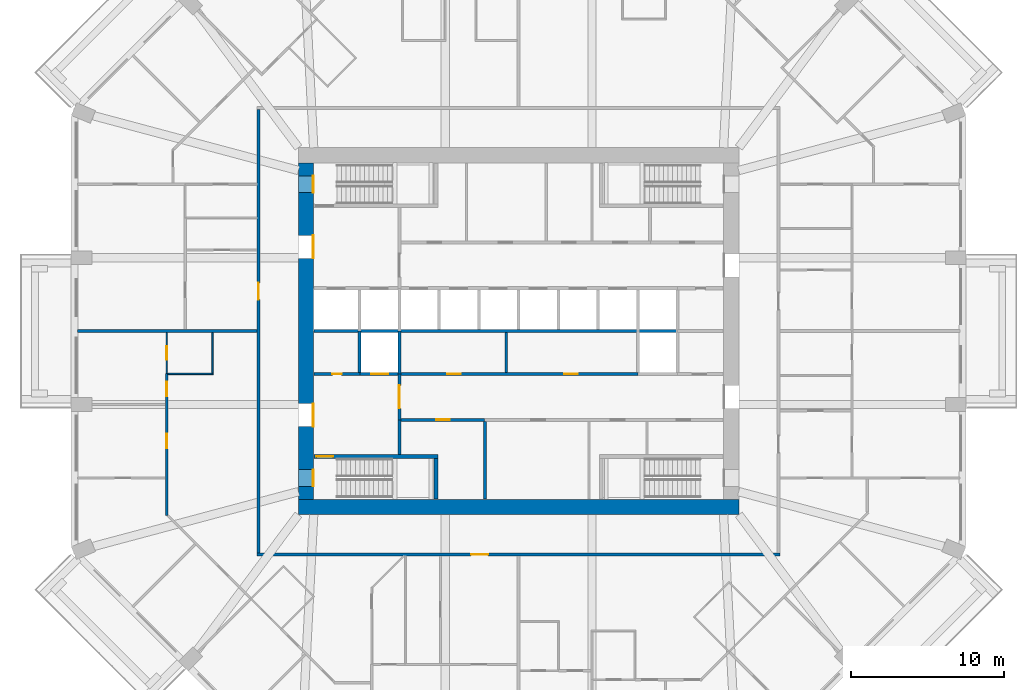
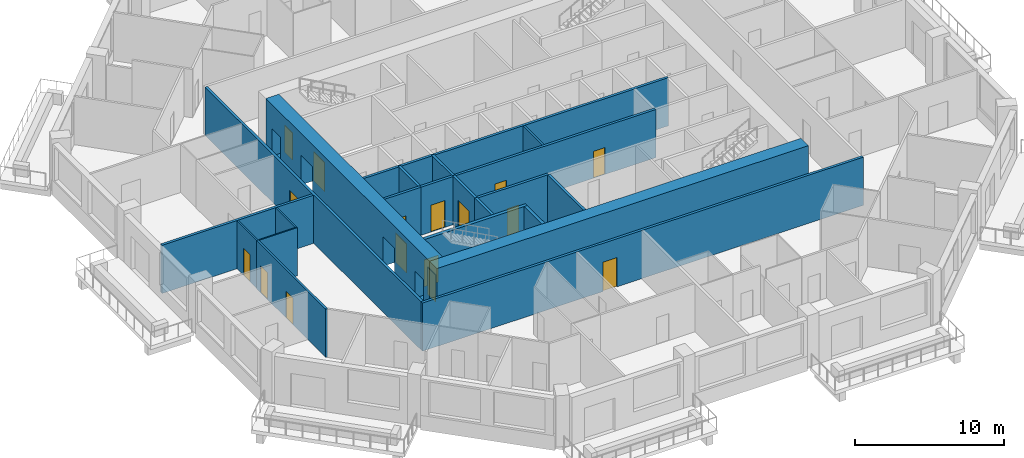
# One storey, part 4 of 13: 22 walls, 16 doors, 16 openings.
"""IFC4 building model written with IfcOpenShell, lengths in metres."""

from ifc_helpers import new_model, si_unit, direction, frame, frame_2d, origin, place, context, subcontext, project, spatial, rectangle, extrude, material, layer, layer_set, type_object, element, fill, save


model = new_model("IFC4")

# Units and contexts
model_context = context("Model", 3, precision=1e-05, world=origin(), true_north=direction((0.0, 1.0)))
body_context = subcontext(model_context, "Body", "Model", "MODEL_VIEW")
ifc_project = project(units=[si_unit("LENGTHUNIT", "METRE"), si_unit("AREAUNIT", "SQUARE_METRE"), si_unit("VOLUMEUNIT", "CUBIC_METRE"), si_unit("PLANEANGLEUNIT", "RADIAN"), si_unit("MASSUNIT", "GRAM", prefix="KILO")], contexts=[model_context])

# Site, building, storey
site_placement = place(None, origin())
site = spatial("IfcSite", under=ifc_project, at=site_placement, CompositionType="ELEMENT")
building_placement = place(site_placement, origin())
building = spatial("IfcBuilding", under=site, at=building_placement, Name="Msitu Wima Residences", CompositionType="ELEMENT")
storey_placement = place(building_placement, frame((0.0, 0.0, 38.10009765625)))
storey = spatial("IfcBuildingStorey", under=building, at=storey_placement, Name="L08", CompositionType="ELEMENT", Elevation=38.10009765625)

# Wall
ifc_material_1 = material(Name="Concrete C80/95", Category="concrete")
ifc_layer_1 = layer(ifc_material_1, 1.0)
ifc_layer_set_1 = layer_set([ifc_layer_1], Name="Concrete C80/95")
wall_type_1 = type_object("IfcWallType", Name="Core wall CW1000 C80/95", PredefinedType="SHEAR", material=ifc_layer_set_1)
wall_1_placement = place(storey_placement, frame((-14.39990234375, -11.5, 0.0), z_axis=(0.0, 0.0, 1.0), x_axis=(1.0, 0.0, 0.0)))
element("IfcWall", 1, at=wall_1_placement, inside=storey, type_object=wall_type_1, Name="Core wall", PredefinedType="SHEAR", context=body_context, shape_type="SweptSolid", body=[
    extrude(rectangle(XDim=28.7998046875, YDim=1.0, at=frame_2d((14.39990234375, 0.0))), origin(), (0.0, 0.0, 1.0), 4.199951171875),
])

# Wall, openings, doors
wall_2_placement = place(storey_placement, frame((-13.89990234375, -11.0, 0.0), z_axis=(0.0, 0.0, 1.0), x_axis=(0.0, 1.0, 0.0)))
wall_2 = element("IfcWall", 2, at=wall_2_placement, inside=storey, type_object=wall_type_1, Name="Core wall", PredefinedType="SHEAR", context=body_context, shape_type="SweptSolid", body=[
    extrude(rectangle(XDim=22.0, YDim=1.0, at=frame_2d((11.0, 0.0))), origin(), (0.0, 0.0, 1.0), 4.199951171875),
])
opening_1_placement = place(wall_2_placement, frame((20.050048828125, 0.0, 0.0)))
opening_1 = element("IfcOpeningElement", 3, at=opening_1_placement, cuts=wall_2, Name="Opening D08-10.035", PredefinedType="OPENING", context=body_context, shape_type="SweptSolid", body=[
    extrude(rectangle(XDim=1.10009765625, YDim=2.199951171875, at=frame_2d((0.550048828125, 1.10009765625))), frame((0.0, 0.510009765625, 0.0), z_axis=(0.0, -1.0, 0.0), x_axis=(1.0, 0.0, 0.0)), (0.0, 0.0, 1.0), 1.02001953125),
])
opening_2_placement = place(wall_2_placement, frame((0.85009765625, 0.0, 0.0)))
opening_2 = element("IfcOpeningElement", 4, at=opening_2_placement, cuts=wall_2, Name="Opening D08-10.037", PredefinedType="OPENING", context=body_context, shape_type="SweptSolid", body=[
    extrude(rectangle(XDim=1.10009765625, YDim=2.199951171875, at=frame_2d((0.550048828125, 1.10009765625))), frame((0.0, 0.510009765625, 0.0), z_axis=(0.0, -1.0, 0.0), x_axis=(1.0, 0.0, 0.0)), (0.0, 0.0, 1.0), 1.02001953125),
])
opening_3_placement = place(wall_2_placement, frame((15.75, 0.0, 0.0)))
opening_3 = element("IfcOpeningElement", 5, at=opening_3_placement, cuts=wall_2, Name="Opening D08-10.016", PredefinedType="OPENING", context=body_context, shape_type="SweptSolid", body=[
    extrude(rectangle(XDim=1.5, YDim=2.39990234375, at=frame_2d((0.75, 1.199951171875))), frame((0.0, 0.510009765625, 0.0), z_axis=(0.0, -1.0, 0.0), x_axis=(1.0, 0.0, 0.0)), (0.0, 0.0, 1.0), 1.02001953125),
])
opening_4_placement = place(wall_2_placement, frame((4.75, 0.0, 0.0)))
opening_4 = element("IfcOpeningElement", 6, at=opening_4_placement, cuts=wall_2, Name="Opening D08-10.018", PredefinedType="OPENING", context=body_context, shape_type="SweptSolid", body=[
    extrude(rectangle(XDim=1.5, YDim=2.39990234375, at=frame_2d((0.75, 1.199951171875))), frame((0.0, 0.510009765625, 0.0), z_axis=(0.0, -1.0, 0.0), x_axis=(1.0, 0.0, 0.0)), (0.0, 0.0, 1.0), 1.02001953125),
])
ifc_material_2 = material(Name="Steel framed glazed door, fire resisting", Category="steel")
door_type_1 = type_object("IfcDoorType", Name="Lobby door D07 1500x2400", OperationType="DOUBLE_DOOR_SINGLE_SWING", PredefinedType="DOOR", material=ifc_material_2)
door_1_placement = place(opening_3_placement, origin())
door_1 = element("IfcDoor", 7, at=door_1_placement, inside=storey, type_object=door_type_1, Name="Lobby door", OperationType="DOUBLE_DOOR_SINGLE_SWING", OverallHeight=2.39990234375, OverallWidth=1.5, PredefinedType="DOOR", context=body_context, shape_type="SweptSolid", body=[
    extrude(rectangle(XDim=1.5, YDim=2.39990234375, at=frame_2d((0.75, 1.199951171875))), frame((0.0, -0.44482421875, 0.0), z_axis=(0.0, -1.0, 0.0), x_axis=(1.0, 0.0, 0.0)), (0.0, 0.0, 1.0), 0.050048828125),
])
fill(opening_3, door_1)
door_2_placement = place(opening_4_placement, origin())
door_2 = element("IfcDoor", 8, at=door_2_placement, inside=storey, type_object=door_type_1, Name="Lobby door", OperationType="DOUBLE_DOOR_SINGLE_SWING", OverallHeight=2.39990234375, OverallWidth=1.5, PredefinedType="DOOR", context=body_context, shape_type="SweptSolid", body=[
    extrude(rectangle(XDim=1.5, YDim=2.39990234375, at=frame_2d((0.75, 1.199951171875))), frame((0.0, -0.44482421875, 0.0), z_axis=(0.0, -1.0, 0.0), x_axis=(1.0, 0.0, 0.0)), (0.0, 0.0, 1.0), 0.050048828125),
])
fill(opening_4, door_2)
ifc_material_3 = material(Name="Steel door, fire resisting, panic bar", Category="steel")
door_type_2 = type_object("IfcDoorType", Name="Stair door D06 1100x2200", OperationType="SINGLE_SWING_LEFT", PredefinedType="DOOR", material=ifc_material_3)
door_3_placement = place(opening_1_placement, origin())
door_3 = element("IfcDoor", 9, at=door_3_placement, inside=storey, type_object=door_type_2, Name="Stair door", OperationType="SINGLE_SWING_RIGHT", OverallHeight=2.199951171875, OverallWidth=1.10009765625, PredefinedType="DOOR", context=body_context, shape_type="SweptSolid", body=[
    extrude(rectangle(XDim=1.10009765625, YDim=2.199951171875, at=frame_2d((0.550048828125, 1.10009765625))), frame((0.0, -0.44482421875, 0.0), z_axis=(0.0, -1.0, 0.0), x_axis=(1.0, 0.0, 0.0)), (0.0, 0.0, 1.0), 0.050048828125),
])
fill(opening_1, door_3)
door_4_placement = place(opening_2_placement, origin())
door_4 = element("IfcDoor", 10, at=door_4_placement, inside=storey, type_object=door_type_2, Name="Stair door", OperationType="SINGLE_SWING_LEFT", OverallHeight=2.199951171875, OverallWidth=1.10009765625, PredefinedType="DOOR", context=body_context, shape_type="SweptSolid", body=[
    extrude(rectangle(XDim=1.10009765625, YDim=2.199951171875, at=frame_2d((0.550048828125, 1.10009765625))), frame((0.0, -0.44482421875, 0.0), z_axis=(0.0, -1.0, 0.0), x_axis=(1.0, 0.0, 0.0)), (0.0, 0.0, 1.0), 0.050048828125),
])
fill(opening_2, door_4)

# Wall, opening, door
ifc_material_4 = material(Name="Plaster")
ifc_layer_2 = layer(ifc_material_4, 0.011962890625, Name="Plaster")
ifc_material_5 = material(Name="Concrete blockwork", Category="masonry")
ifc_layer_3 = layer(ifc_material_5, 0.176025390625, Name="Concrete blockwork")
ifc_layer_4 = layer(ifc_material_4, 0.011962890625, Name="Plaster")
ifc_layer_set_2 = layer_set([ifc_layer_2, ifc_layer_3, ifc_layer_4], Name="Concrete blockwork")
wall_type_2 = type_object("IfcWallType", Name="Corridor wall FW200", PredefinedType="PARTITIONING", material=ifc_layer_set_2)
wall_3_placement = place(storey_placement, frame((-17.0, -14.5, 0.0), z_axis=(0.0, 0.0, 1.0), x_axis=(0.0, 1.0, 0.0)))
wall_3 = element("IfcWall", 11, at=wall_3_placement, inside=storey, type_object=wall_type_2, Name="Corridor wall", PredefinedType="PARTITIONING", context=body_context, shape_type="SweptSolid", body=[
    extrude(rectangle(XDim=29.0, YDim=0.199951171875, at=frame_2d((14.5, 0.0))), origin(), (0.0, 0.0, 1.0), 3.949951171875),
])
opening_5_placement = place(wall_3_placement, frame((16.550048828125, 0.0, 0.0)))
opening_5 = element("IfcOpeningElement", 12, at=opening_5_placement, cuts=wall_3, Name="Opening D08-10.012", PredefinedType="OPENING", context=body_context, shape_type="SweptSolid", body=[
    extrude(rectangle(XDim=1.10009765625, YDim=2.39990234375, at=frame_2d((0.550048828125, 1.199951171875))), frame((0.0, 0.10986328125, 0.0), z_axis=(0.0, -1.0, 0.0), x_axis=(1.0, 0.0, 0.0)), (0.0, 0.0, 1.0), 0.219970703125),
])
ifc_material_6 = material(Name="Timber flush door, fire resisting, self-closing", Category="wood")
door_type_3 = type_object("IfcDoorType", Name="Flat entrance door D01 1100x2400", OperationType="SINGLE_SWING_LEFT", PredefinedType="DOOR", material=ifc_material_6)
door_5_placement = place(opening_5_placement, origin())
door_5 = element("IfcDoor", 13, at=door_5_placement, inside=storey, type_object=door_type_3, Name="Flat entrance door", OperationType="SINGLE_SWING_LEFT", OverallHeight=2.39990234375, OverallWidth=1.10009765625, PredefinedType="DOOR", context=body_context, shape_type="SweptSolid", body=[
    extrude(rectangle(XDim=1.10009765625, YDim=2.39990234375, at=frame_2d((0.550048828125, 1.199951171875))), frame((0.0, 0.02490234375, 0.0), z_axis=(0.0, -1.0, 0.0), x_axis=(1.0, 0.0, 0.0)), (0.0, 0.0, 1.0), 0.050048828125),
])
fill(opening_5, door_5)

wall_4_placement = place(storey_placement, frame((-17.10009765625, -14.60009765625, 0.0), z_axis=(0.0, 0.0, 1.0), x_axis=(1.0, 0.0, 0.0)))
wall_4 = element("IfcWall", 14, at=wall_4_placement, inside=storey, type_object=wall_type_2, Name="Corridor wall", PredefinedType="PARTITIONING", context=body_context, shape_type="SweptSolid", body=[
    extrude(rectangle(XDim=34.2001953125, YDim=0.199951171875, at=frame_2d((17.10009765625, 0.0))), origin(), (0.0, 0.0, 1.0), 3.949951171875),
])
opening_6_placement = place(wall_4_placement, frame((14.0, 0.0, 0.0)))
opening_6 = element("IfcOpeningElement", 15, at=opening_6_placement, cuts=wall_4, Name="Opening D08-10.013", PredefinedType="OPENING", context=body_context, shape_type="SweptSolid", body=[
    extrude(rectangle(XDim=1.10009765625, YDim=2.39990234375, at=frame_2d((0.550048828125, 1.199951171875))), frame((0.0, 0.10986328125, 0.0), z_axis=(0.0, -1.0, 0.0), x_axis=(1.0, 0.0, 0.0)), (0.0, 0.0, 1.0), 0.219970703125),
])
door_6_placement = place(opening_6_placement, origin())
door_6 = element("IfcDoor", 16, at=door_6_placement, inside=storey, type_object=door_type_3, Name="Flat entrance door", OperationType="SINGLE_SWING_LEFT", OverallHeight=2.39990234375, OverallWidth=1.10009765625, PredefinedType="DOOR", context=body_context, shape_type="SweptSolid", body=[
    extrude(rectangle(XDim=1.10009765625, YDim=2.39990234375, at=frame_2d((0.550048828125, 1.199951171875))), frame((0.0, 0.02490234375, 0.0), z_axis=(0.0, -1.0, 0.0), x_axis=(1.0, 0.0, 0.0)), (0.0, 0.0, 1.0), 0.050048828125),
])
fill(opening_6, door_6)

# Wall, openings, doors
wall_5_placement = place(storey_placement, frame((-7.820068359375, -2.800048828125, 0.0), z_axis=(0.0, 0.0, 1.0), x_axis=(1.0, 0.0, 0.0)))
wall_5 = element("IfcWall", 17, at=wall_5_placement, inside=storey, type_object=wall_type_2, Name="Corridor wall", PredefinedType="PARTITIONING", context=body_context, shape_type="SweptSolid", body=[
    extrude(rectangle(XDim=15.64013671875, YDim=0.199951171875, at=frame_2d((7.820068359375, 0.0))), origin(), (0.0, 0.0, 1.0), 3.949951171875),
])
opening_7_placement = place(wall_5_placement, frame((3.14990234375, 0.0, 0.0)))
opening_7 = element("IfcOpeningElement", 18, at=opening_7_placement, cuts=wall_5, Name="Opening D08-10.033", PredefinedType="OPENING", context=body_context, shape_type="SweptSolid", body=[
    extrude(rectangle(XDim=0.89990234375, YDim=2.199951171875, at=frame_2d((0.449951171875, 1.10009765625))), frame((0.0, 0.10986328125, 0.0), z_axis=(0.0, -1.0, 0.0), x_axis=(1.0, 0.0, 0.0)), (0.0, 0.0, 1.0), 0.219970703125),
])
opening_8_placement = place(wall_5_placement, frame((10.800048828125, 0.0, 0.0)))
opening_8 = element("IfcOpeningElement", 19, at=opening_8_placement, cuts=wall_5, Name="Opening D08-10.034", PredefinedType="OPENING", context=body_context, shape_type="SweptSolid", body=[
    extrude(rectangle(XDim=0.89990234375, YDim=2.199951171875, at=frame_2d((0.449951171875, 1.10009765625))), frame((0.0, 0.10986328125, 0.0), z_axis=(0.0, -1.0, 0.0), x_axis=(1.0, 0.0, 0.0)), (0.0, 0.0, 1.0), 0.219970703125),
])
ifc_material_7 = material(Name="Timber flush door", Category="wood")
door_type_4 = type_object("IfcDoorType", Name="Service door D05 900x2200", OperationType="SINGLE_SWING_LEFT", PredefinedType="DOOR", material=ifc_material_7)
door_7_placement = place(opening_7_placement, origin())
door_7 = element("IfcDoor", 20, at=door_7_placement, inside=storey, type_object=door_type_4, Name="Service door", OperationType="SINGLE_SWING_RIGHT", OverallHeight=2.199951171875, OverallWidth=0.89990234375, PredefinedType="DOOR", context=body_context, shape_type="SweptSolid", body=[
    extrude(rectangle(XDim=0.89990234375, YDim=2.199951171875, at=frame_2d((0.449951171875, 1.10009765625))), frame((0.0, 0.02490234375, 0.0), z_axis=(0.0, -1.0, 0.0), x_axis=(1.0, 0.0, 0.0)), (0.0, 0.0, 1.0), 0.050048828125),
])
fill(opening_7, door_7)
door_8_placement = place(opening_8_placement, origin())
door_8 = element("IfcDoor", 21, at=door_8_placement, inside=storey, type_object=door_type_4, Name="Service door", OperationType="SINGLE_SWING_RIGHT", OverallHeight=2.199951171875, OverallWidth=0.89990234375, PredefinedType="DOOR", context=body_context, shape_type="SweptSolid", body=[
    extrude(rectangle(XDim=0.89990234375, YDim=2.199951171875, at=frame_2d((0.449951171875, 1.10009765625))), frame((0.0, 0.02490234375, 0.0), z_axis=(0.0, -1.0, 0.0), x_axis=(1.0, 0.0, 0.0)), (0.0, 0.0, 1.0), 0.050048828125),
])
fill(opening_8, door_8)

# Wall, opening, door
wall_6_placement = place(storey_placement, frame((-7.800048828125, -5.800048828125, 0.0), z_axis=(0.0, 0.0, 1.0), x_axis=(0.0, 1.0, 0.0)))
wall_6 = element("IfcWall", 22, at=wall_6_placement, inside=storey, type_object=wall_type_2, Name="Corridor wall", PredefinedType="PARTITIONING", context=body_context, shape_type="SweptSolid", body=[
    extrude(rectangle(XDim=3.0, YDim=0.199951171875, at=frame_2d((1.5, 0.0))), origin(), (0.0, 0.0, 1.0), 3.949951171875),
])
opening_9_placement = place(wall_6_placement, frame((0.75, 0.0, 0.0)))
opening_9 = element("IfcOpeningElement", 23, at=opening_9_placement, cuts=wall_6, Name="Opening D08-10.019", PredefinedType="OPENING", context=body_context, shape_type="SweptSolid", body=[
    extrude(rectangle(XDim=1.5, YDim=2.39990234375, at=frame_2d((0.75, 1.199951171875))), frame((0.0, 0.10986328125, 0.0), z_axis=(0.0, -1.0, 0.0), x_axis=(1.0, 0.0, 0.0)), (0.0, 0.0, 1.0), 0.219970703125),
])
door_9_placement = place(opening_9_placement, origin())
door_9 = element("IfcDoor", 24, at=door_9_placement, inside=storey, type_object=door_type_1, Name="Lobby door", OperationType="DOUBLE_DOOR_SINGLE_SWING", OverallHeight=2.39990234375, OverallWidth=1.5, PredefinedType="DOOR", context=body_context, shape_type="SweptSolid", body=[
    extrude(rectangle(XDim=1.5, YDim=2.39990234375, at=frame_2d((0.75, 1.199951171875))), frame((0.0, 0.02490234375, 0.0), z_axis=(0.0, -1.0, 0.0), x_axis=(1.0, 0.0, 0.0)), (0.0, 0.0, 1.0), 0.050048828125),
])
fill(opening_9, door_9)

# Wall, openings, doors
ifc_layer_5 = layer(ifc_material_4, 0.011962890625, Name="Plaster")
ifc_layer_6 = layer(ifc_material_5, 0.1259765625, Name="Concrete blockwork")
ifc_layer_7 = layer(ifc_material_4, 0.011962890625, Name="Plaster")
ifc_layer_set_3 = layer_set([ifc_layer_5, ifc_layer_6, ifc_layer_7], Name="Concrete blockwork")
wall_type_3 = type_object("IfcWallType", Name="Partition PW150", PredefinedType="PARTITIONING", material=ifc_layer_set_3)
wall_7_placement = place(storey_placement, frame((-23.0, -12.072509765625, 0.0), z_axis=(0.0, 0.0, 1.0), x_axis=(0.0, 1.0, 0.0)))
wall_7 = element("IfcWall", 25, at=wall_7_placement, inside=storey, type_object=wall_type_3, Name="Partition", PredefinedType="PARTITIONING", context=body_context, shape_type="SweptSolid", body=[
    extrude(rectangle(XDim=9.29248046875, YDim=0.14990234375, at=frame_2d((4.646240234375, 0.0))), origin(), (0.0, 0.0, 1.0), 3.949951171875),
])
opening_10_placement = place(wall_7_placement, frame((4.39990234375, 0.0, 0.0)))
opening_10 = element("IfcOpeningElement", 26, at=opening_10_placement, cuts=wall_7, Name="Opening D08-10.062", PredefinedType="OPENING", context=body_context, shape_type="SweptSolid", body=[
    extrude(rectangle(XDim=0.949951171875, YDim=2.199951171875, at=frame_2d((0.47509765625, 1.10009765625))), frame((0.0, 0.0849609375, 0.0), z_axis=(0.0, -1.0, 0.0), x_axis=(1.0, 0.0, 0.0)), (0.0, 0.0, 1.0), 0.169921875),
])
opening_11_placement = place(wall_7_placement, frame((7.800048828125, 0.0, 0.0)))
opening_11 = element("IfcOpeningElement", 27, at=opening_11_placement, cuts=wall_7, Name="Opening D08-10.067", PredefinedType="OPENING", context=body_context, shape_type="SweptSolid", body=[
    extrude(rectangle(XDim=0.949951171875, YDim=2.199951171875, at=frame_2d((0.47509765625, 1.10009765625))), frame((0.0, 0.0849609375, 0.0), z_axis=(0.0, -1.0, 0.0), x_axis=(1.0, 0.0, 0.0)), (0.0, 0.0, 1.0), 0.169921875),
])
door_type_5 = type_object("IfcDoorType", Name="Room door D12 950x2200", OperationType="SINGLE_SWING_LEFT", PredefinedType="DOOR", material=ifc_material_7)
door_10_placement = place(opening_10_placement, origin())
door_10 = element("IfcDoor", 28, at=door_10_placement, inside=storey, type_object=door_type_5, Name="Room door", OperationType="SINGLE_SWING_RIGHT", OverallHeight=2.199951171875, OverallWidth=0.949951171875, PredefinedType="DOOR", context=body_context, shape_type="SweptSolid", body=[
    extrude(rectangle(XDim=0.949951171875, YDim=2.199951171875, at=frame_2d((0.47509765625, 1.10009765625))), frame((0.0, 0.02490234375, 0.0), z_axis=(0.0, -1.0, 0.0), x_axis=(1.0, 0.0, 0.0)), (0.0, 0.0, 1.0), 0.050048828125),
])
fill(opening_10, door_10)
door_11_placement = place(opening_11_placement, origin())
door_11 = element("IfcDoor", 29, at=door_11_placement, inside=storey, type_object=door_type_5, Name="Room door", OperationType="SINGLE_SWING_LEFT", OverallHeight=2.199951171875, OverallWidth=0.949951171875, PredefinedType="DOOR", context=body_context, shape_type="SweptSolid", body=[
    extrude(rectangle(XDim=0.949951171875, YDim=2.199951171875, at=frame_2d((0.47509765625, 1.10009765625))), frame((0.0, 0.02490234375, 0.0), z_axis=(0.0, -1.0, 0.0), x_axis=(1.0, 0.0, 0.0)), (0.0, 0.0, 1.0), 0.050048828125),
])
fill(opening_11, door_11)

# Walls
wall_8_placement = place(storey_placement, frame((-0.800048828125, -2.699951171875, 0.0), z_axis=(0.0, 0.0, 1.0), x_axis=(0.0, 1.0, 0.0)))
element("IfcWall", 30, at=wall_8_placement, inside=storey, type_object=wall_type_3, Name="Partition", PredefinedType="PARTITIONING", context=body_context, shape_type="SweptSolid", body=[
    extrude(rectangle(XDim=2.599853515625, YDim=0.14990234375, at=frame_2d((1.2998046875, 0.0))), origin(), (0.0, 0.0, 1.0), 3.949951171875),
])
ifc_layer_8 = layer(ifc_material_4, 0.011962890625, Name="Plaster")
ifc_material_8 = material(Name="Dense concrete blockwork", Category="masonry")
ifc_layer_9 = layer(ifc_material_8, 0.176025390625, Name="Dense concrete blockwork")
ifc_layer_10 = layer(ifc_material_4, 0.011962890625, Name="Plaster")
ifc_layer_set_4 = layer_set([ifc_layer_8, ifc_layer_9, ifc_layer_10], Name="Dense concrete blockwork")
wall_type_4 = type_object("IfcWallType", Name="Party wall PW200", PredefinedType="PARTITIONING", material=ifc_layer_set_4)
wall_9_placement = place(storey_placement, frame((-28.85498046875, 0.0, 0.0), z_axis=(0.0, 0.0, 1.0), x_axis=(1.0, 0.0, 0.0)))
element("IfcWall", 31, at=wall_9_placement, inside=storey, type_object=wall_type_4, Name="Party wall", PredefinedType="PARTITIONING", context=body_context, shape_type="SweptSolid", body=[
    extrude(rectangle(XDim=11.7548828125, YDim=0.199951171875, at=frame_2d((5.87744140625, 0.0))), origin(), (0.0, 0.0, 1.0), 3.949951171875),
])

# Wall, opening, door
ifc_layer_11 = layer(ifc_material_4, 0.011962890625, Name="Plaster")
ifc_material_9 = material(Name="Reinforced concrete blockwork", Category="masonry")
ifc_layer_12 = layer(ifc_material_9, 0.176025390625, Name="Reinforced concrete blockwork")
ifc_layer_13 = layer(ifc_material_4, 0.011962890625, Name="Plaster")
ifc_layer_set_5 = layer_set([ifc_layer_11, ifc_layer_12, ifc_layer_13], Name="Reinforced concrete blockwork")
wall_type_5 = type_object("IfcWallType", Name="Plant and riser wall PL200", PredefinedType="PARTITIONING", material=ifc_layer_set_5)
wall_10_placement = place(storey_placement, frame((-13.3701171875, -2.800048828125, 0.0), z_axis=(0.0, 0.0, 1.0), x_axis=(1.0, 0.0, 0.0)))
wall_10 = element("IfcWall", 32, at=wall_10_placement, inside=storey, type_object=wall_type_5, Name="Plant and riser wall", PredefinedType="PARTITIONING", context=body_context, shape_type="SweptSolid", body=[
    extrude(rectangle(XDim=2.990234375, YDim=0.199951171875, at=frame_2d((1.4951171875, 0.0))), origin(), (0.0, 0.0, 1.0), 3.949951171875),
])
opening_12_placement = place(wall_10_placement, frame((1.199951171875, 0.0, 0.0)))
opening_12 = element("IfcOpeningElement", 33, at=opening_12_placement, cuts=wall_10, Name="Opening D08-10.032", PredefinedType="OPENING", context=body_context, shape_type="SweptSolid", body=[
    extrude(rectangle(XDim=0.60009765625, YDim=2.0, at=frame_2d((0.300048828125, 1.0))), frame((0.0, 0.10986328125, 0.0), z_axis=(0.0, -1.0, 0.0), x_axis=(1.0, 0.0, 0.0)), (0.0, 0.0, 1.0), 0.219970703125),
])
ifc_material_10 = material(Name="Steel access door, fire resisting", Category="steel")
door_type_6 = type_object("IfcDoorType", Name="Riser access door D08 600x2000", OperationType="SINGLE_SWING_LEFT", PredefinedType="DOOR", material=ifc_material_10)
door_12_placement = place(opening_12_placement, origin())
door_12 = element("IfcDoor", 34, at=door_12_placement, inside=storey, type_object=door_type_6, Name="Riser access door", OperationType="SINGLE_SWING_RIGHT", OverallHeight=2.0, OverallWidth=0.60009765625, PredefinedType="DOOR", context=body_context, shape_type="SweptSolid", body=[
    extrude(rectangle(XDim=0.60009765625, YDim=2.0, at=frame_2d((0.300048828125, 1.0))), frame((0.0, 0.02490234375, 0.0), z_axis=(0.0, -1.0, 0.0), x_axis=(1.0, 0.0, 0.0)), (0.0, 0.0, 1.0), 0.050048828125),
])
fill(opening_12, door_12)

# Wall
wall_11_placement = place(storey_placement, frame((-7.800048828125, -8.074951171875, 0.0), z_axis=(0.0, 0.0, 1.0), x_axis=(0.0, 1.0, 0.0)))
element("IfcWall", 35, at=wall_11_placement, inside=storey, type_object=wall_type_5, Name="Plant and riser wall", PredefinedType="PARTITIONING", context=body_context, shape_type="SweptSolid", body=[
    extrude(rectangle(XDim=2.27490234375, YDim=0.199951171875, at=frame_2d((1.137451171875, 0.0))), origin(), (0.0, 0.0, 1.0), 3.949951171875),
])

# Wall, opening, door
wall_12_placement = place(storey_placement, frame((-7.699951171875, -5.800048828125, 0.0), z_axis=(0.0, 0.0, 1.0), x_axis=(1.0, 0.0, 0.0)))
wall_12 = element("IfcWall", 36, at=wall_12_placement, inside=storey, type_object=wall_type_5, Name="Plant and riser wall", PredefinedType="PARTITIONING", context=body_context, shape_type="SweptSolid", body=[
    extrude(rectangle(XDim=5.47998046875, YDim=0.199951171875, at=frame_2d((2.739990234375, 0.0))), origin(), (0.0, 0.0, 1.0), 3.949951171875),
])
opening_13_placement = place(wall_12_placement, frame((2.300048828125, 0.0, 0.0)))
opening_13 = element("IfcOpeningElement", 37, at=opening_13_placement, cuts=wall_12, Name="Opening D08-10.025", PredefinedType="OPENING", context=body_context, shape_type="SweptSolid", body=[
    extrude(rectangle(XDim=0.89990234375, YDim=2.199951171875, at=frame_2d((0.449951171875, 1.10009765625))), frame((0.0, 0.10986328125, 0.0), z_axis=(0.0, -1.0, 0.0), x_axis=(1.0, 0.0, 0.0)), (0.0, 0.0, 1.0), 0.219970703125),
])
door_13_placement = place(opening_13_placement, origin())
door_13 = element("IfcDoor", 38, at=door_13_placement, inside=storey, type_object=door_type_4, Name="Service door", OperationType="SINGLE_SWING_LEFT", OverallHeight=2.199951171875, OverallWidth=0.89990234375, PredefinedType="DOOR", context=body_context, shape_type="SweptSolid", body=[
    extrude(rectangle(XDim=0.89990234375, YDim=2.199951171875, at=frame_2d((0.449951171875, 1.10009765625))), frame((0.0, 0.02490234375, 0.0), z_axis=(0.0, -1.0, 0.0), x_axis=(1.0, 0.0, 0.0)), (0.0, 0.0, 1.0), 0.050048828125),
])
fill(opening_13, door_13)

# Walls
wall_13_placement = place(storey_placement, frame((-2.199951171875, -10.969970703125, 0.0), z_axis=(0.0, 0.0, 1.0), x_axis=(0.0, 1.0, 0.0)))
element("IfcWall", 39, at=wall_13_placement, inside=storey, type_object=wall_type_5, Name="Plant and riser wall", PredefinedType="PARTITIONING", context=body_context, shape_type="SweptSolid", body=[
    extrude(rectangle(XDim=5.070068359375, YDim=0.199951171875, at=frame_2d((2.53515625, 0.0))), origin(), (0.0, 0.0, 1.0), 3.949951171875),
])
ifc_material_11 = material(Name="Fire-rated board")
ifc_layer_14 = layer(ifc_material_11, 0.02490234375, Name="Fire-rated board")
ifc_material_12 = material(Name="Light-gauge stud framing with mineral wool")
ifc_layer_15 = layer(ifc_material_12, 0.14990234375, Name="Light-gauge stud framing with mineral wool")
ifc_layer_16 = layer(ifc_material_11, 0.02490234375, Name="Fire-rated board")
ifc_layer_set_6 = layer_set([ifc_layer_14, ifc_layer_15, ifc_layer_16], Name="Light-gauge stud framing with mineral wool")
wall_type_6 = type_object("IfcWallType", Name="Shaft wall SH200", PredefinedType="PARTITIONING", material=ifc_layer_set_6)
wall_14_placement = place(storey_placement, frame((-13.3701171875, 0.0, 0.0), z_axis=(0.0, 0.0, 1.0), x_axis=(1.0, 0.0, 0.0)))
element("IfcWall", 40, at=wall_14_placement, inside=storey, type_object=wall_type_6, Name="Shaft wall", PredefinedType="PARTITIONING", context=body_context, shape_type="SweptSolid", body=[
    extrude(rectangle(XDim=23.77001953125, YDim=0.199951171875, at=frame_2d((11.885009765625, 0.0))), origin(), (0.0, 0.0, 1.0), 3.949951171875),
])
wall_15_placement = place(storey_placement, frame((-10.39990234375, -2.699951171875, 0.0), z_axis=(0.0, 0.0, 1.0), x_axis=(0.0, 1.0, 0.0)))
element("IfcWall", 41, at=wall_15_placement, inside=storey, type_object=wall_type_6, Name="Shaft wall", PredefinedType="PARTITIONING", context=body_context, shape_type="SweptSolid", body=[
    extrude(rectangle(XDim=2.699951171875, YDim=0.199951171875, at=frame_2d((1.35009765625, 0.0))), origin(), (0.0, 0.0, 1.0), 3.949951171875),
])

# Wall, opening, door
wall_16_placement = place(storey_placement, frame((-10.3798828125, -2.800048828125, 0.0), z_axis=(0.0, 0.0, 1.0), x_axis=(1.0, 0.0, 0.0)))
wall_16 = element("IfcWall", 42, at=wall_16_placement, inside=storey, type_object=wall_type_6, Name="Shaft wall", PredefinedType="PARTITIONING", context=body_context, shape_type="SweptSolid", body=[
    extrude(rectangle(XDim=2.559814453125, YDim=0.199951171875, at=frame_2d((1.27978515625, 0.0))), origin(), (0.0, 0.0, 1.0), 3.949951171875),
])
opening_14_placement = place(wall_16_placement, frame((0.75, 0.0, 0.0)))
opening_14 = element("IfcOpeningElement", 43, at=opening_14_placement, cuts=wall_16, Name="Opening LD", PredefinedType="OPENING", context=body_context, shape_type="SweptSolid", body=[
    extrude(rectangle(XDim=1.10009765625, YDim=2.199951171875, at=frame_2d((0.550048828125, 1.10009765625))), frame((0.0, 0.10986328125, 0.0), z_axis=(0.0, -1.0, 0.0), x_axis=(1.0, 0.0, 0.0)), (0.0, 0.0, 1.0), 0.219970703125),
])
ifc_material_13 = material(Name="Stainless steel centre-opening landing door, rated", Category="steel")
door_type_7 = type_object("IfcDoorType", Name="Lift landing door LD 1100x2200", OperationType="DOUBLE_DOOR_SLIDING", PredefinedType="DOOR", material=ifc_material_13)
door_14_placement = place(opening_14_placement, origin())
door_14 = element("IfcDoor", 44, at=door_14_placement, inside=storey, type_object=door_type_7, Name="Lift landing door LD3", OperationType="DOUBLE_DOOR_SLIDING", OverallHeight=2.199951171875, OverallWidth=1.10009765625, PredefinedType="DOOR", context=body_context, shape_type="SweptSolid", body=[
    extrude(rectangle(XDim=1.10009765625, YDim=2.199951171875, at=frame_2d((0.550048828125, 1.10009765625))), frame((0.0, 0.02490234375, 0.0), z_axis=(0.0, -1.0, 0.0), x_axis=(1.0, 0.0, 0.0)), (0.0, 0.0, 1.0), 0.050048828125),
])
fill(opening_14, door_14)

# Wall
wall_17_placement = place(storey_placement, frame((-7.800048828125, -2.800048828125, 0.0), z_axis=(0.0, 0.0, 1.0), x_axis=(0.0, 1.0, 0.0)))
element("IfcWall", 45, at=wall_17_placement, inside=storey, type_object=wall_type_6, Name="Shaft wall", PredefinedType="PARTITIONING", context=body_context, shape_type="SweptSolid", body=[
    extrude(rectangle(XDim=2.800048828125, YDim=0.199951171875, at=frame_2d((1.39990234375, 0.0))), origin(), (0.0, 0.0, 1.0), 3.949951171875),
])

# Wall, opening, door
ifc_material_14 = material(Name="Concrete C50/60", Category="concrete")
ifc_layer_17 = layer(ifc_material_14, 0.25)
ifc_layer_set_7 = layer_set([ifc_layer_17], Name="Concrete C50/60")
wall_type_7 = type_object("IfcWallType", Name="Stair enclosure wall SW250", PredefinedType="SHEAR", material=ifc_layer_set_7)
wall_18_placement = place(storey_placement, frame((-13.3701171875, -8.199951171875, 0.0), z_axis=(0.0, 0.0, 1.0), x_axis=(1.0, 0.0, 0.0)))
wall_18 = element("IfcWall", 46, at=wall_18_placement, inside=storey, type_object=wall_type_7, Name="Stair enclosure wall", PredefinedType="SHEAR", context=body_context, shape_type="SweptSolid", body=[
    extrude(rectangle(XDim=8.09521484375, YDim=0.25, at=frame_2d((4.047607421875, 0.0))), origin(), (0.0, 0.0, 1.0), 3.949951171875),
])
opening_15_placement = place(wall_18_placement, frame((0.14990234375, 0.0, 0.0)))
opening_15 = element("IfcOpeningElement", 47, at=opening_15_placement, cuts=wall_18, Name="Opening D08-10.038", PredefinedType="OPENING", context=body_context, shape_type="SweptSolid", body=[
    extrude(rectangle(XDim=1.10009765625, YDim=2.199951171875, at=frame_2d((0.550048828125, 1.10009765625))), frame((0.0, 0.135009765625, 0.0), z_axis=(0.0, -1.0, 0.0), x_axis=(1.0, 0.0, 0.0)), (0.0, 0.0, 1.0), 0.27001953125),
])
door_15_placement = place(opening_15_placement, origin())
door_15 = element("IfcDoor", 48, at=door_15_placement, inside=storey, type_object=door_type_2, Name="Stair door", OperationType="SINGLE_SWING_RIGHT", OverallHeight=2.199951171875, OverallWidth=1.10009765625, PredefinedType="DOOR", context=body_context, shape_type="SweptSolid", body=[
    extrude(rectangle(XDim=1.10009765625, YDim=2.199951171875, at=frame_2d((0.550048828125, 1.10009765625))), frame((0.0, 0.02490234375, 0.0), z_axis=(0.0, -1.0, 0.0), x_axis=(1.0, 0.0, 0.0)), (0.0, 0.0, 1.0), 0.050048828125),
])
fill(opening_15, door_15)

# Wall
wall_19_placement = place(storey_placement, frame((-5.39990234375, -10.969970703125, 0.0), z_axis=(0.0, 0.0, 1.0), x_axis=(0.0, 1.0, 0.0)))
element("IfcWall", 49, at=wall_19_placement, inside=storey, type_object=wall_type_7, Name="Stair enclosure wall", PredefinedType="SHEAR", context=body_context, shape_type="SweptSolid", body=[
    extrude(rectangle(XDim=2.64501953125, YDim=0.25, at=frame_2d((1.322509765625, 0.0))), origin(), (0.0, 0.0, 1.0), 3.949951171875),
])

# Wall, opening, door
ifc_material_15 = material(Name="Ceramic tiles")
ifc_layer_18 = layer(ifc_material_15, 0.008056640625, Name="Ceramic tiles")
ifc_material_16 = material(Name="Moisture-resistant board")
ifc_layer_19 = layer(ifc_material_16, 0.012451171875, Name="Moisture-resistant board")
ifc_layer_20 = layer(ifc_material_12, 0.06689453125, Name="Light-gauge stud framing with mineral wool")
ifc_layer_21 = layer(ifc_material_16, 0.012451171875, Name="Moisture-resistant board")
ifc_layer_set_8 = layer_set([ifc_layer_18, ifc_layer_19, ifc_layer_20, ifc_layer_21], Name="Light-gauge stud framing with mineral wool")
wall_type_8 = type_object("IfcWallType", Name="Wet wall PW100", PredefinedType="PARTITIONING", material=ifc_layer_set_8)
wall_20_placement = place(storey_placement, frame((-23.0, -2.780029296875, 0.0), z_axis=(0.0, 0.0, 1.0), x_axis=(0.0, 1.0, 0.0)))
wall_20 = element("IfcWall", 50, at=wall_20_placement, inside=storey, type_object=wall_type_8, Name="Wet wall", PredefinedType="PARTITIONING", context=body_context, shape_type="SweptSolid", body=[
    extrude(rectangle(XDim=2.679931640625, YDim=0.10009765625, at=frame_2d((1.33984375, 0.0))), origin(), (0.0, 0.0, 1.0), 3.949951171875),
])
opening_16_placement = place(wall_20_placement, frame((0.89990234375, 0.0, 0.0)))
opening_16 = element("IfcOpeningElement", 51, at=opening_16_placement, cuts=wall_20, Name="Opening D08-10.068", PredefinedType="OPENING", context=body_context, shape_type="SweptSolid", body=[
    extrude(rectangle(XDim=0.89990234375, YDim=2.199951171875, at=frame_2d((0.449951171875, 1.10009765625))), frame((0.0, 0.06005859375, 0.0), z_axis=(0.0, -1.0, 0.0), x_axis=(1.0, 0.0, 0.0)), (0.0, 0.0, 1.0), 0.1201171875),
])
ifc_material_17 = material(Name="Timber flush door, moisture resistant", Category="wood")
door_type_8 = type_object("IfcDoorType", Name="Bathroom door D03 900x2200", OperationType="SINGLE_SWING_LEFT", PredefinedType="DOOR", material=ifc_material_17)
door_16_placement = place(opening_16_placement, origin())
door_16 = element("IfcDoor", 52, at=door_16_placement, inside=storey, type_object=door_type_8, Name="Bathroom door", OperationType="SINGLE_SWING_RIGHT", OverallHeight=2.199951171875, OverallWidth=0.89990234375, PredefinedType="DOOR", context=body_context, shape_type="SweptSolid", body=[
    extrude(rectangle(XDim=0.89990234375, YDim=2.199951171875, at=frame_2d((0.449951171875, 1.10009765625))), frame((0.0, 0.02490234375, 0.0), z_axis=(0.0, -1.0, 0.0), x_axis=(1.0, 0.0, 0.0)), (0.0, 0.0, 1.0), 0.050048828125),
])
fill(opening_16, door_16)

# Walls
wall_21_placement = place(storey_placement, frame((-22.925048828125, -2.800048828125, 0.0), z_axis=(0.0, 0.0, 1.0), x_axis=(1.0, 0.0, 0.0)))
element("IfcWall", 53, at=wall_21_placement, inside=storey, type_object=wall_type_8, Name="Wet wall", PredefinedType="PARTITIONING", context=body_context, shape_type="SweptSolid", body=[
    extrude(rectangle(XDim=2.97509765625, YDim=0.10009765625, at=frame_2d((1.487548828125, 0.0))), origin(), (0.0, 0.0, 1.0), 3.949951171875),
])
wall_22_placement = place(storey_placement, frame((-20.0, -2.75, 0.0), z_axis=(0.0, 0.0, 1.0), x_axis=(0.0, 1.0, 0.0)))
element("IfcWall", 54, at=wall_22_placement, inside=storey, type_object=wall_type_8, Name="Wet wall", PredefinedType="PARTITIONING", context=body_context, shape_type="SweptSolid", body=[
    extrude(rectangle(XDim=2.64990234375, YDim=0.10009765625, at=frame_2d((1.324951171875, 0.0))), origin(), (0.0, 0.0, 1.0), 3.949951171875),
])

save(model, "model.ifc")
